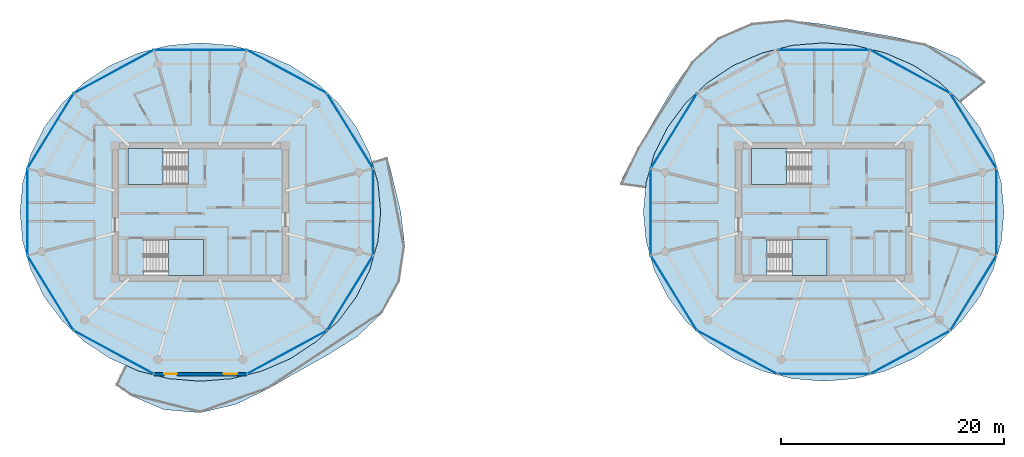
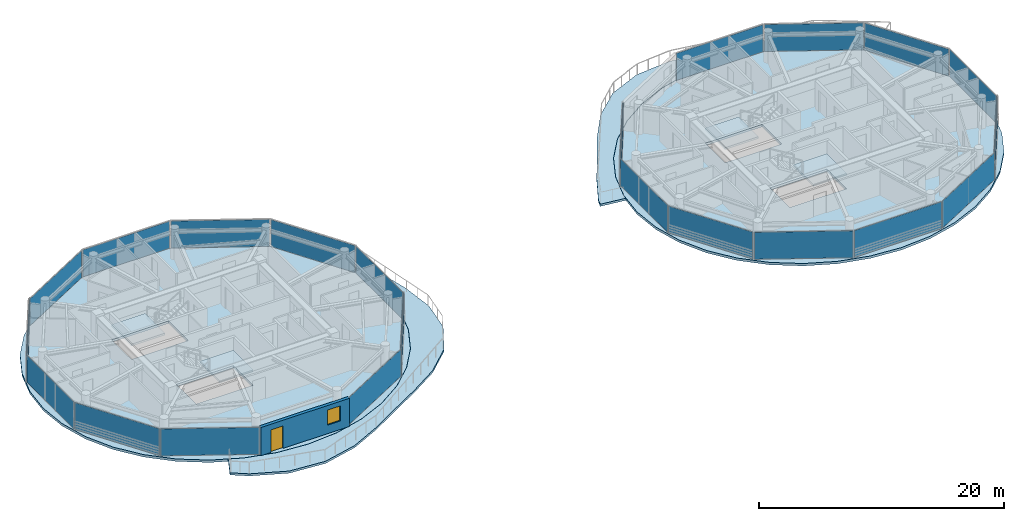
# One storey, part 8 of 19: 22 plates, 8 slabs, 1 door, 1 wall, 1 window, 2 openings, 26 elements without a shape of their own.
"""IFC4 building model written with IfcOpenShell, lengths in metres."""

from ifc_helpers import new_model, si_unit, direction, frame, frame_2d, origin, origin_2d, place, context, subcontext, project, spatial, polyline, rectangle, outline, extrude, source, transform, mapped, material, layer, layer_set, type_object, type_shapes, element, fill, aggregate, save


model = new_model("IFC4")

# Units and contexts
model_context = context("Model", 3, precision=1e-05, world=origin(), true_north=direction((0.0, 1.0)))
body_context = subcontext(model_context, "Body", "Model", "MODEL_VIEW")
ifc_project = project(units=[si_unit("LENGTHUNIT", "METRE"), si_unit("AREAUNIT", "SQUARE_METRE"), si_unit("VOLUMEUNIT", "CUBIC_METRE"), si_unit("PLANEANGLEUNIT", "RADIAN"), si_unit("MASSUNIT", "GRAM", prefix="KILO")], contexts=[model_context])

# Site, building, storey
site_placement = place(None, origin())
site = spatial("IfcSite", under=ifc_project, at=site_placement, CompositionType="ELEMENT")
building_placement = place(site_placement, origin())
building = spatial("IfcBuilding", under=site, at=building_placement, Name="Norrkilde Senior Care Towers", CompositionType="ELEMENT")
storey_placement = place(building_placement, frame((0.0, 0.0, 238.300048828125)))
storey = spatial("IfcBuildingStorey", under=building, at=storey_placement, Name="L74", CompositionType="ELEMENT", Elevation=238.300048828125)

# Slabs
ifc_material_1 = material(Name="Concrete C50/60", Category="concrete")
ifc_layer_1 = layer(ifc_material_1, 0.215087890625)
ifc_layer_set_1 = layer_set([ifc_layer_1], Name="Concrete C50/60")
slab_type_1 = type_object("IfcSlabType", Name="Sinusoidal Balcony Ribbon Slab 215", PredefinedType="FLOOR", material=ifc_layer_set_1)
slab_1_placement = place(storey_placement, frame((0.0, 0.0, -0.215087890625)))
element("IfcSlab", 1, at=slab_1_placement, inside=storey, type_object=slab_type_1, Name="L74 Drum W Swirling Senior Balcony 1", PredefinedType="FLOOR", context=body_context, shape_type="SweptSolid", body=[
    extrude(outline(polyline([(-11.62646484375, -9.042236328125), (-13.9658203125, -11.222900390625), (-16.6171875, -12.87548828125), (-19.2548828125, -14.354248046875), (-21.91259765625, -15.88427734375), (-24.80517578125, -17.2763671875), (-28.0, -18.032958984375), (-31.273681640625, -17.752685546875), (-34.2880859375, -16.4716796875), (-35.59326171875, -15.550537109375), (-34.724365234375, -13.77099609375), (-33.54248046875, -14.2880859375), (-30.81396484375, -14.97412109375), (-28.0, -15.205078125), (-25.18603515625, -14.97412109375), (-22.45751953125, -14.2880859375), (-19.8974609375, -13.16796875), (-17.583740234375, -11.647705078125), (-15.586181640625, -9.773681640625), (-13.966064453125, -7.6025390625), (-12.772216796875, -5.200439453125), (-12.041259765625, -2.640380859375), (-11.794921875, 0.0), (-12.041259765625, 2.640380859375), (-12.573486328125, 4.50390625), (-11.189697265625, 4.907958984375), (-10.68994140625, 2.894287109375), (-9.990234375, 0.0), (-9.623779296875, -3.0947265625), (-10.0947265625, -6.2392578125), (-11.62646484375, -9.042236328125)])), origin(), (0.0, 0.0, 1.0), 0.215087890625),
])
slab_2_placement = place(storey_placement, frame((0.0, 0.0, -0.215087890625)))
element("IfcSlab", 2, at=slab_2_placement, inside=storey, type_object=slab_type_1, Name="L74 Drum E Swirling Senior Balcony 1", PredefinedType="FLOOR", context=body_context, shape_type="SweptSolid", body=[
    extrude(outline(polyline([(11.315673828125, 5.765625), (12.81689453125, 8.309814453125), (14.3291015625, 10.89794921875), (16.14013671875, 13.4814453125), (18.550537109375, 15.654541015625), (21.54736328125, 16.953369140625), (24.809326171875, 17.25048828125), (28.0, 16.869384765625), (31.03369140625, 16.302734375), (34.053466796875, 15.784912109375), (37.150634765625, 15.103271484375), (40.125, 13.818359375), (42.54931640625, 11.68359375), (42.558837890625, 11.666015625), (40.31396484375, 9.8671875), (38.416259765625, 11.647705078125), (36.1025390625, 13.16796875), (33.54248046875, 14.2880859375), (30.81396484375, 14.97412109375), (28.0, 15.205078125), (25.18603515625, 14.97412109375), (22.45751953125, 14.2880859375), (19.8974609375, 13.16796875), (17.583740234375, 11.647705078125), (15.586181640625, 9.773681640625), (13.966064453125, 7.6025390625), (12.772216796875, 5.200439453125), (12.041259765625, 2.640380859375), (11.995361328125, 2.14794921875), (9.738037109375, 2.450927734375), (9.904541015625, 3.0419921875), (11.315673828125, 5.765625)])), origin(), (0.0, 0.0, 1.0), 0.215087890625),
])

# Stair, slab
ifc_material_2 = material(Name="Concrete C45/55", Category="concrete")
stair_type = type_object("IfcStairType", Name="Core Protected Dogleg Stair Typical 3050", PredefinedType="HALF_TURN_STAIR", material=ifc_material_2)
stair_1_placement = place(storey_placement, origin())
stair_1 = element("IfcStair", 3, at=stair_1_placement, inside=storey, type_object=stair_type, Name="L74 Protected Core Stair W1", PredefinedType="HALF_TURN_STAIR")
ifc_layer_2 = layer(ifc_material_2, 0.199951171875)
ifc_layer_set_2 = layer_set([ifc_layer_2], Name="Concrete C45/55")
slab_type_2 = type_object("IfcSlabType", Name="Stair Landing Slab 200", PredefinedType="LANDING", material=ifc_layer_set_2)
slab_3_placement = place(storey_placement, frame((0.0, 0.0, 1.324951171875)))
slab_3 = element("IfcSlab", 4, at=slab_3_placement, type_object=slab_type_2, Name="ST-W1 landing 1", PredefinedType="LANDING", context=body_context, shape_type="SweptSolid", body=[
    extrude(outline(polyline([(-31.340087890625, 5.68994140625), (-34.5, 5.68994140625), (-34.5, 2.449951171875), (-31.340087890625, 2.449951171875), (-31.340087890625, 5.68994140625)])), origin(), (0.0, 0.0, 1.0), 0.199951171875),
])
aggregate(stair_1, [slab_3])

stair_2_placement = place(storey_placement, origin())
stair_2 = element("IfcStair", 5, at=stair_2_placement, inside=storey, type_object=stair_type, Name="L74 Protected Core Stair W2", PredefinedType="HALF_TURN_STAIR")
slab_4_placement = place(storey_placement, frame((0.0, 0.0, 1.324951171875)))
slab_4 = element("IfcSlab", 6, at=slab_4_placement, type_object=slab_type_2, Name="ST-W2 landing 1", PredefinedType="LANDING", context=body_context, shape_type="SweptSolid", body=[
    extrude(outline(polyline([(-30.860107421875, -5.68994140625), (-27.699951171875, -5.68994140625), (-27.699951171875, -2.449951171875), (-30.860107421875, -2.449951171875), (-30.860107421875, -5.68994140625)])), origin(), (0.0, 0.0, 1.0), 0.199951171875),
])
aggregate(stair_2, [slab_4])

stair_3_placement = place(storey_placement, origin())
stair_3 = element("IfcStair", 7, at=stair_3_placement, inside=storey, type_object=stair_type, Name="L74 Protected Core Stair E1", PredefinedType="HALF_TURN_STAIR")
slab_5_placement = place(storey_placement, frame((0.0, 0.0, 1.324951171875)))
slab_5 = element("IfcSlab", 8, at=slab_5_placement, type_object=slab_type_2, Name="ST-E1 landing 1", PredefinedType="LANDING", context=body_context, shape_type="SweptSolid", body=[
    extrude(outline(polyline([(24.659912109375, 5.68994140625), (21.5, 5.68994140625), (21.5, 2.449951171875), (24.659912109375, 2.449951171875), (24.659912109375, 5.68994140625)])), origin(), (0.0, 0.0, 1.0), 0.199951171875),
])
aggregate(stair_3, [slab_5])

stair_4_placement = place(storey_placement, origin())
stair_4 = element("IfcStair", 9, at=stair_4_placement, inside=storey, type_object=stair_type, Name="L74 Protected Core Stair E2", PredefinedType="HALF_TURN_STAIR")
slab_6_placement = place(storey_placement, frame((0.0, 0.0, 1.324951171875)))
slab_6 = element("IfcSlab", 10, at=slab_6_placement, type_object=slab_type_2, Name="ST-E2 landing 1", PredefinedType="LANDING", context=body_context, shape_type="SweptSolid", body=[
    extrude(outline(polyline([(25.139892578125, -5.68994140625), (28.300048828125, -5.68994140625), (28.300048828125, -2.449951171875), (25.139892578125, -2.449951171875), (25.139892578125, -5.68994140625)])), origin(), (0.0, 0.0, 1.0), 0.199951171875),
])
aggregate(stair_4, [slab_6])

# Slabs
ifc_layer_3 = layer(ifc_material_1, 0.239990234375)
ifc_layer_set_3 = layer_set([ifc_layer_3], Name="Concrete C50/60")
slab_type_3 = type_object("IfcSlabType", Name="Tower Residence Floor Slab 240", PredefinedType="FLOOR", material=ifc_layer_set_3)
slab_7_placement = place(storey_placement, frame((0.0, 0.0, -0.239990234375)))
element("IfcSlab", 11, at=slab_7_placement, inside=storey, type_object=slab_type_3, Name="L74 Drum W Structural Floor Slab", PredefinedType="FLOOR", context=body_context, shape_type="SweptSolid", body=[
    extrude(outline(polyline([(-12.777099609375, -5.19873046875), (-13.970458984375, -7.60009765625), (-15.590087890625, -9.770263671875), (-17.5869140625, -11.643798828125), (-19.89990234375, -13.16357421875), (-22.459228515625, -14.283447265625), (-25.18701171875, -14.968994140625), (-28.0, -15.199951171875), (-30.81298828125, -14.968994140625), (-33.540771484375, -14.283447265625), (-36.10009765625, -13.16357421875), (-38.4130859375, -11.643798828125), (-40.409912109375, -9.770263671875), (-42.029541015625, -7.60009765625), (-43.222900390625, -5.19873046875), (-43.953857421875, -2.639404296875), (-44.199951171875, 0.0), (-43.953857421875, 2.639404296875), (-43.222900390625, 5.19873046875), (-42.029541015625, 7.60009765625), (-40.409912109375, 9.770263671875), (-38.4130859375, 11.643798828125), (-36.10009765625, 13.16357421875), (-33.540771484375, 14.283447265625), (-30.81298828125, 14.968994140625), (-28.0, 15.199951171875), (-25.18701171875, 14.968994140625), (-22.459228515625, 14.283447265625), (-19.89990234375, 13.16357421875), (-17.5869140625, 11.643798828125), (-15.590087890625, 9.770263671875), (-13.970458984375, 7.60009765625), (-12.777099609375, 5.19873046875), (-12.046142578125, 2.639404296875), (-11.800048828125, 0.0), (-12.046142578125, -2.639404296875), (-12.777099609375, -5.19873046875)]), holes=[polyline([(-34.48193359375, 2.468017578125), (-29.117919921875, 2.468017578125), (-29.117919921875, 5.68994140625), (-34.48193359375, 5.68994140625), (-34.48193359375, 2.468017578125)]), polyline([(-27.718017578125, -5.68994140625), (-27.718017578125, -2.468017578125), (-33.08203125, -2.468017578125), (-33.08203125, -5.68994140625), (-27.718017578125, -5.68994140625)])]), origin(), (0.0, 0.0, 1.0), 0.239990234375),
])
slab_8_placement = place(storey_placement, frame((0.0, 0.0, -0.239990234375)))
element("IfcSlab", 12, at=slab_8_placement, inside=storey, type_object=slab_type_3, Name="L74 Drum E Structural Floor Slab", PredefinedType="FLOOR", context=body_context, shape_type="SweptSolid", body=[
    extrude(outline(polyline([(43.222900390625, -5.19873046875), (42.029541015625, -7.60009765625), (40.409912109375, -9.770263671875), (38.4130859375, -11.643798828125), (36.10009765625, -13.16357421875), (33.540771484375, -14.283447265625), (30.81298828125, -14.968994140625), (28.0, -15.199951171875), (25.18701171875, -14.968994140625), (22.459228515625, -14.283447265625), (19.89990234375, -13.16357421875), (17.5869140625, -11.643798828125), (15.590087890625, -9.770263671875), (13.970458984375, -7.60009765625), (12.777099609375, -5.19873046875), (12.046142578125, -2.639404296875), (11.800048828125, 0.0), (12.046142578125, 2.639404296875), (12.777099609375, 5.19873046875), (13.970458984375, 7.60009765625), (15.590087890625, 9.770263671875), (17.5869140625, 11.643798828125), (19.89990234375, 13.16357421875), (22.459228515625, 14.283447265625), (25.18701171875, 14.968994140625), (28.0, 15.199951171875), (30.81298828125, 14.968994140625), (33.540771484375, 14.283447265625), (36.10009765625, 13.16357421875), (38.4130859375, 11.643798828125), (40.409912109375, 9.770263671875), (42.029541015625, 7.60009765625), (43.222900390625, 5.19873046875), (43.953857421875, 2.639404296875), (44.199951171875, 0.0), (43.953857421875, -2.639404296875), (43.222900390625, -5.19873046875)]), holes=[polyline([(21.51806640625, 2.468017578125), (26.882080078125, 2.468017578125), (26.882080078125, 5.68994140625), (21.51806640625, 5.68994140625), (21.51806640625, 2.468017578125)]), polyline([(28.281982421875, -5.68994140625), (28.281982421875, -2.468017578125), (22.91796875, -2.468017578125), (22.91796875, -5.68994140625), (28.281982421875, -5.68994140625)])]), origin(), (0.0, 0.0, 1.0), 0.239990234375),
])

# Curtain wall, plate
ifc_material_3 = material(Name="Triple Low-E Insulated Glazing", Category="glass")
ifc_layer_4 = layer(ifc_material_3, 0.18505859375)
ifc_layer_set_4 = layer_set([ifc_layer_4], Name="Triple Low-E Insulated Glazing")
curtain_wall_type = type_object("IfcCurtainWallType", Name="CW6 Zone 4 Crown Pavilion Curtain Wall", PredefinedType="NOTDEFINED", material=ifc_layer_set_4)
curtain_wall_1_placement = place(storey_placement, origin())
curtain_wall_1 = element("IfcCurtainWall", 13, at=curtain_wall_1_placement, inside=storey, type_object=curtain_wall_type, Name="L74 Drum W Curtain Wall 00", PredefinedType="NOTDEFINED")
ifc_layer_5 = layer(ifc_material_3, 0.035888671875)
ifc_layer_set_5 = layer_set([ifc_layer_5], Name="Triple Low-E Insulated Glazing")
plate_type = type_object("IfcPlateType", Name="Triple Low-E Vision Curtain Panel 36", PredefinedType="CURTAIN_PANEL", material=ifc_layer_set_5)
shared_shape_1 = source(origin(), body_context, "Body", "SweptSolid", [
    extrude(rectangle(XDim=7.80859375, YDim=0.035888671875, at=origin_2d()), origin(), (0.0, 0.0, 1.0), 2.68994140625),
])
plate_1_placement = place(storey_placement, frame((-14.548828125, 7.282958984375, 0.06005859375), z_axis=(0.0, 0.0, 1.0), x_axis=(0.524252726748, -0.851562727283, 0.0)))
plate_1 = element("IfcPlate", 14, at=plate_1_placement, type_object=plate_type, Name="CW-6 panel 1.1", PredefinedType="CURTAIN_PANEL", context=body_context, shape_type="MappedRepresentation", body=[
    mapped(shared_shape_1, transform((0.0, 0.0, 0.0), x_axis=(1.0, 0.0, 0.0), y_axis=(0.0, 1.0, 0.0), z_axis=(0.0, 0.0, 1.0), scale=1.0)),
])
aggregate(curtain_wall_1, [plate_1])

curtain_wall_2_placement = place(storey_placement, origin())
curtain_wall_2 = element("IfcCurtainWall", 15, at=curtain_wall_2_placement, inside=storey, type_object=curtain_wall_type, Name="L74 Drum W Curtain Wall 04", PredefinedType="NOTDEFINED")
plate_2_placement = place(storey_placement, frame((-41.451171875, 7.282958984375, 0.06005859375), z_axis=(0.0, 0.0, 1.0), x_axis=(0.524252726748, 0.851562727283, 0.0)))
plate_2 = element("IfcPlate", 16, at=plate_2_placement, type_object=plate_type, Name="CW-6 panel 1.1", PredefinedType="CURTAIN_PANEL", context=body_context, shape_type="MappedRepresentation", body=[
    mapped(shared_shape_1, transform((0.0, 0.0, 0.0), x_axis=(1.0, 0.0, 0.0), y_axis=(0.0, 1.0, 0.0), z_axis=(0.0, 0.0, 1.0), scale=1.0)),
])
aggregate(curtain_wall_2, [plate_2])

curtain_wall_3_placement = place(storey_placement, origin())
curtain_wall_3 = element("IfcCurtainWall", 17, at=curtain_wall_3_placement, inside=storey, type_object=curtain_wall_type, Name="L74 Drum W Curtain Wall 06", PredefinedType="NOTDEFINED")
plate_3_placement = place(storey_placement, frame((-41.451171875, -7.282958984375, 0.06005859375), z_axis=(0.0, 0.0, 1.0), x_axis=(-0.524252726748, 0.851562727283, 0.0)))
plate_3 = element("IfcPlate", 18, at=plate_3_placement, type_object=plate_type, Name="CW-6 panel 1.1", PredefinedType="CURTAIN_PANEL", context=body_context, shape_type="MappedRepresentation", body=[
    mapped(shared_shape_1, transform((0.0, 0.0, 0.0), x_axis=(1.0, 0.0, 0.0), y_axis=(0.0, 1.0, 0.0), z_axis=(0.0, 0.0, 1.0), scale=1.0)),
])
aggregate(curtain_wall_3, [plate_3])

curtain_wall_4_placement = place(storey_placement, origin())
curtain_wall_4 = element("IfcCurtainWall", 19, at=curtain_wall_4_placement, inside=storey, type_object=curtain_wall_type, Name="L74 Drum W Curtain Wall 10", PredefinedType="NOTDEFINED")
plate_4_placement = place(storey_placement, frame((-14.548828125, -7.282958984375, 0.06005859375), z_axis=(0.0, 0.0, 1.0), x_axis=(-0.524252726748, -0.851562727283, 0.0)))
plate_4 = element("IfcPlate", 20, at=plate_4_placement, type_object=plate_type, Name="CW-6 panel 1.1", PredefinedType="CURTAIN_PANEL", context=body_context, shape_type="MappedRepresentation", body=[
    mapped(shared_shape_1, transform((0.0, 0.0, 0.0), x_axis=(1.0, 0.0, 0.0), y_axis=(0.0, 1.0, 0.0), z_axis=(0.0, 0.0, 1.0), scale=1.0)),
])
aggregate(curtain_wall_4, [plate_4])

curtain_wall_5_placement = place(storey_placement, origin())
curtain_wall_5 = element("IfcCurtainWall", 21, at=curtain_wall_5_placement, inside=storey, type_object=curtain_wall_type, Name="L74 Drum E Curtain Wall 00", PredefinedType="NOTDEFINED")
plate_5_placement = place(storey_placement, frame((41.451171875, 7.282958984375, 0.06005859375), z_axis=(0.0, 0.0, 1.0), x_axis=(0.524252726748, -0.851562727283, 0.0)))
plate_5 = element("IfcPlate", 22, at=plate_5_placement, type_object=plate_type, Name="CW-6 panel 1.1", PredefinedType="CURTAIN_PANEL", context=body_context, shape_type="MappedRepresentation", body=[
    mapped(shared_shape_1, transform((0.0, 0.0, 0.0), x_axis=(1.0, 0.0, 0.0), y_axis=(0.0, 1.0, 0.0), z_axis=(0.0, 0.0, 1.0), scale=1.0)),
])
aggregate(curtain_wall_5, [plate_5])

curtain_wall_6_placement = place(storey_placement, origin())
curtain_wall_6 = element("IfcCurtainWall", 23, at=curtain_wall_6_placement, inside=storey, type_object=curtain_wall_type, Name="L74 Drum E Curtain Wall 04", PredefinedType="NOTDEFINED")
plate_6_placement = place(storey_placement, frame((14.548828125, 7.282958984375, 0.06005859375), z_axis=(0.0, 0.0, 1.0), x_axis=(0.524252726748, 0.851562727283, 0.0)))
plate_6 = element("IfcPlate", 24, at=plate_6_placement, type_object=plate_type, Name="CW-6 panel 1.1", PredefinedType="CURTAIN_PANEL", context=body_context, shape_type="MappedRepresentation", body=[
    mapped(shared_shape_1, transform((0.0, 0.0, 0.0), x_axis=(1.0, 0.0, 0.0), y_axis=(0.0, 1.0, 0.0), z_axis=(0.0, 0.0, 1.0), scale=1.0)),
])
aggregate(curtain_wall_6, [plate_6])

curtain_wall_7_placement = place(storey_placement, origin())
curtain_wall_7 = element("IfcCurtainWall", 25, at=curtain_wall_7_placement, inside=storey, type_object=curtain_wall_type, Name="L74 Drum E Curtain Wall 06", PredefinedType="NOTDEFINED")
plate_7_placement = place(storey_placement, frame((14.548828125, -7.282958984375, 0.06005859375), z_axis=(0.0, 0.0, 1.0), x_axis=(-0.524252726748, 0.851562727283, 0.0)))
plate_7 = element("IfcPlate", 26, at=plate_7_placement, type_object=plate_type, Name="CW-6 panel 1.1", PredefinedType="CURTAIN_PANEL", context=body_context, shape_type="MappedRepresentation", body=[
    mapped(shared_shape_1, transform((0.0, 0.0, 0.0), x_axis=(1.0, 0.0, 0.0), y_axis=(0.0, 1.0, 0.0), z_axis=(0.0, 0.0, 1.0), scale=1.0)),
])
aggregate(curtain_wall_7, [plate_7])

curtain_wall_8_placement = place(storey_placement, origin())
curtain_wall_8 = element("IfcCurtainWall", 27, at=curtain_wall_8_placement, inside=storey, type_object=curtain_wall_type, Name="L74 Drum E Curtain Wall 10", PredefinedType="NOTDEFINED")
plate_8_placement = place(storey_placement, frame((41.451171875, -7.282958984375, 0.06005859375), z_axis=(0.0, 0.0, 1.0), x_axis=(-0.524252726748, -0.851562727283, 0.0)))
plate_8 = element("IfcPlate", 28, at=plate_8_placement, type_object=plate_type, Name="CW-6 panel 1.1", PredefinedType="CURTAIN_PANEL", context=body_context, shape_type="MappedRepresentation", body=[
    mapped(shared_shape_1, transform((0.0, 0.0, 0.0), x_axis=(1.0, 0.0, 0.0), y_axis=(0.0, 1.0, 0.0), z_axis=(0.0, 0.0, 1.0), scale=1.0)),
])
aggregate(curtain_wall_8, [plate_8])

curtain_wall_9_placement = place(storey_placement, origin())
curtain_wall_9 = element("IfcCurtainWall", 29, at=curtain_wall_9_placement, inside=storey, type_object=curtain_wall_type, Name="L74 Drum W Curtain Wall 02", PredefinedType="NOTDEFINED")
shared_shape_2 = source(origin(), body_context, "Body", "SweptSolid", [
    extrude(rectangle(XDim=8.193603515625, YDim=0.035888671875, at=origin_2d()), origin(), (0.0, 0.0, 1.0), 2.68994140625),
])
plate_9_placement = place(storey_placement, frame((-28.0, 14.566162109375, 0.06005859375), z_axis=(0.0, 0.0, 1.0), x_axis=(1.0, 0.0, 0.0)))
plate_9 = element("IfcPlate", 30, at=plate_9_placement, type_object=plate_type, Name="CW-6 panel 1.1", PredefinedType="CURTAIN_PANEL", context=body_context, shape_type="MappedRepresentation", body=[
    mapped(shared_shape_2, transform((0.0, 0.0, 0.0), x_axis=(1.0, 0.0, 0.0), y_axis=(0.0, 1.0, 0.0), z_axis=(0.0, 0.0, 1.0), scale=1.0)),
])
aggregate(curtain_wall_9, [plate_9])

curtain_wall_10_placement = place(storey_placement, origin())
curtain_wall_10 = element("IfcCurtainWall", 31, at=curtain_wall_10_placement, inside=storey, type_object=curtain_wall_type, Name="L74 Drum E Curtain Wall 02", PredefinedType="NOTDEFINED")
plate_10_placement = place(storey_placement, frame((28.0, 14.566162109375, 0.06005859375), z_axis=(0.0, 0.0, 1.0), x_axis=(1.0, 0.0, 0.0)))
plate_10 = element("IfcPlate", 32, at=plate_10_placement, type_object=plate_type, Name="CW-6 panel 1.1", PredefinedType="CURTAIN_PANEL", context=body_context, shape_type="MappedRepresentation", body=[
    mapped(shared_shape_2, transform((0.0, 0.0, 0.0), x_axis=(1.0, 0.0, 0.0), y_axis=(0.0, 1.0, 0.0), z_axis=(0.0, 0.0, 1.0), scale=1.0)),
])
aggregate(curtain_wall_10, [plate_10])

curtain_wall_11_placement = place(storey_placement, origin())
curtain_wall_11 = element("IfcCurtainWall", 33, at=curtain_wall_11_placement, inside=storey, type_object=curtain_wall_type, Name="L74 Drum E Curtain Wall 08", PredefinedType="NOTDEFINED")
plate_11_placement = place(storey_placement, frame((28.0, -14.566162109375, 0.06005859375), z_axis=(0.0, 0.0, 1.0), x_axis=(-1.0, 0.0, 0.0)))
plate_11 = element("IfcPlate", 34, at=plate_11_placement, type_object=plate_type, Name="CW-6 panel 1.1", PredefinedType="CURTAIN_PANEL", context=body_context, shape_type="MappedRepresentation", body=[
    mapped(shared_shape_2, transform((0.0, 0.0, 0.0), x_axis=(1.0, 0.0, 0.0), y_axis=(0.0, 1.0, 0.0), z_axis=(0.0, 0.0, 1.0), scale=1.0)),
])
aggregate(curtain_wall_11, [plate_11])

curtain_wall_12_placement = place(storey_placement, origin())
curtain_wall_12 = element("IfcCurtainWall", 35, at=curtain_wall_12_placement, inside=storey, type_object=curtain_wall_type, Name="L74 Drum W Curtain Wall 01", PredefinedType="NOTDEFINED")
shared_shape_3 = source(origin(), body_context, "Body", "SweptSolid", [
    extrude(rectangle(XDim=8.0673828125, YDim=0.035888671875, at=origin_2d()), origin(), (0.0, 0.0, 1.0), 2.68994140625),
])
plate_12_placement = place(storey_placement, frame((-20.23388671875, 12.61474609375, 0.06005859375), z_axis=(0.0, 0.0, 1.0), x_axis=(0.879373455772, -0.476132676136, 0.0)))
plate_12 = element("IfcPlate", 36, at=plate_12_placement, type_object=plate_type, Name="CW-6 panel 1.1", PredefinedType="CURTAIN_PANEL", context=body_context, shape_type="MappedRepresentation", body=[
    mapped(shared_shape_3, transform((0.0, 0.0, 0.0), x_axis=(1.0, 0.0, 0.0), y_axis=(0.0, 1.0, 0.0), z_axis=(0.0, 0.0, 1.0), scale=1.0)),
])
aggregate(curtain_wall_12, [plate_12])

curtain_wall_13_placement = place(storey_placement, origin())
curtain_wall_13 = element("IfcCurtainWall", 37, at=curtain_wall_13_placement, inside=storey, type_object=curtain_wall_type, Name="L74 Drum W Curtain Wall 03", PredefinedType="NOTDEFINED")
plate_13_placement = place(storey_placement, frame((-35.76611328125, 12.61474609375, 0.06005859375), z_axis=(0.0, 0.0, 1.0), x_axis=(0.879373455772, 0.476132676136, 0.0)))
plate_13 = element("IfcPlate", 38, at=plate_13_placement, type_object=plate_type, Name="CW-6 panel 1.1", PredefinedType="CURTAIN_PANEL", context=body_context, shape_type="MappedRepresentation", body=[
    mapped(shared_shape_3, transform((0.0, 0.0, 0.0), x_axis=(1.0, 0.0, 0.0), y_axis=(0.0, 1.0, 0.0), z_axis=(0.0, 0.0, 1.0), scale=1.0)),
])
aggregate(curtain_wall_13, [plate_13])

curtain_wall_14_placement = place(storey_placement, origin())
curtain_wall_14 = element("IfcCurtainWall", 39, at=curtain_wall_14_placement, inside=storey, type_object=curtain_wall_type, Name="L74 Drum W Curtain Wall 07", PredefinedType="NOTDEFINED")
plate_14_placement = place(storey_placement, frame((-35.76611328125, -12.61474609375, 0.06005859375), z_axis=(0.0, 0.0, 1.0), x_axis=(-0.879373455772, 0.476132676136, 0.0)))
plate_14 = element("IfcPlate", 40, at=plate_14_placement, type_object=plate_type, Name="CW-6 panel 1.1", PredefinedType="CURTAIN_PANEL", context=body_context, shape_type="MappedRepresentation", body=[
    mapped(shared_shape_3, transform((0.0, 0.0, 0.0), x_axis=(1.0, 0.0, 0.0), y_axis=(0.0, 1.0, 0.0), z_axis=(0.0, 0.0, 1.0), scale=1.0)),
])
aggregate(curtain_wall_14, [plate_14])

curtain_wall_15_placement = place(storey_placement, origin())
curtain_wall_15 = element("IfcCurtainWall", 41, at=curtain_wall_15_placement, inside=storey, type_object=curtain_wall_type, Name="L74 Drum W Curtain Wall 09", PredefinedType="NOTDEFINED")
plate_15_placement = place(storey_placement, frame((-20.23388671875, -12.61474609375, 0.06005859375), z_axis=(0.0, 0.0, 1.0), x_axis=(-0.879373455772, -0.476132676136, 0.0)))
plate_15 = element("IfcPlate", 42, at=plate_15_placement, type_object=plate_type, Name="CW-6 panel 1.1", PredefinedType="CURTAIN_PANEL", context=body_context, shape_type="MappedRepresentation", body=[
    mapped(shared_shape_3, transform((0.0, 0.0, 0.0), x_axis=(1.0, 0.0, 0.0), y_axis=(0.0, 1.0, 0.0), z_axis=(0.0, 0.0, 1.0), scale=1.0)),
])
aggregate(curtain_wall_15, [plate_15])

curtain_wall_16_placement = place(storey_placement, origin())
curtain_wall_16 = element("IfcCurtainWall", 43, at=curtain_wall_16_placement, inside=storey, type_object=curtain_wall_type, Name="L74 Drum E Curtain Wall 01", PredefinedType="NOTDEFINED")
plate_16_placement = place(storey_placement, frame((35.76611328125, 12.61474609375, 0.06005859375), z_axis=(0.0, 0.0, 1.0), x_axis=(0.879373455772, -0.476132676136, 0.0)))
plate_16 = element("IfcPlate", 44, at=plate_16_placement, type_object=plate_type, Name="CW-6 panel 1.1", PredefinedType="CURTAIN_PANEL", context=body_context, shape_type="MappedRepresentation", body=[
    mapped(shared_shape_3, transform((0.0, 0.0, 0.0), x_axis=(1.0, 0.0, 0.0), y_axis=(0.0, 1.0, 0.0), z_axis=(0.0, 0.0, 1.0), scale=1.0)),
])
aggregate(curtain_wall_16, [plate_16])

curtain_wall_17_placement = place(storey_placement, origin())
curtain_wall_17 = element("IfcCurtainWall", 45, at=curtain_wall_17_placement, inside=storey, type_object=curtain_wall_type, Name="L74 Drum E Curtain Wall 07", PredefinedType="NOTDEFINED")
plate_17_placement = place(storey_placement, frame((20.23388671875, -12.61474609375, 0.06005859375), z_axis=(0.0, 0.0, 1.0), x_axis=(-0.879373455772, 0.476132676136, 0.0)))
plate_17 = element("IfcPlate", 46, at=plate_17_placement, type_object=plate_type, Name="CW-6 panel 1.1", PredefinedType="CURTAIN_PANEL", context=body_context, shape_type="MappedRepresentation", body=[
    mapped(shared_shape_3, transform((0.0, 0.0, 0.0), x_axis=(1.0, 0.0, 0.0), y_axis=(0.0, 1.0, 0.0), z_axis=(0.0, 0.0, 1.0), scale=1.0)),
])
aggregate(curtain_wall_17, [plate_17])

curtain_wall_18_placement = place(storey_placement, origin())
curtain_wall_18 = element("IfcCurtainWall", 47, at=curtain_wall_18_placement, inside=storey, type_object=curtain_wall_type, Name="L74 Drum E Curtain Wall 09", PredefinedType="NOTDEFINED")
plate_18_placement = place(storey_placement, frame((35.76611328125, -12.61474609375, 0.06005859375), z_axis=(0.0, 0.0, 1.0), x_axis=(-0.879373455772, -0.476132676136, 0.0)))
plate_18 = element("IfcPlate", 48, at=plate_18_placement, type_object=plate_type, Name="CW-6 panel 1.1", PredefinedType="CURTAIN_PANEL", context=body_context, shape_type="MappedRepresentation", body=[
    mapped(shared_shape_3, transform((0.0, 0.0, 0.0), x_axis=(1.0, 0.0, 0.0), y_axis=(0.0, 1.0, 0.0), z_axis=(0.0, 0.0, 1.0), scale=1.0)),
])
aggregate(curtain_wall_18, [plate_18])

curtain_wall_19_placement = place(storey_placement, origin())
curtain_wall_19 = element("IfcCurtainWall", 49, at=curtain_wall_19_placement, inside=storey, type_object=curtain_wall_type, Name="L74 Drum W Curtain Wall 05", PredefinedType="NOTDEFINED")
shared_shape_4 = source(origin(), body_context, "Body", "SweptSolid", [
    extrude(rectangle(XDim=7.676025390625, YDim=0.035888671875, at=origin_2d()), origin(), (0.0, 0.0, 1.0), 2.68994140625),
])
type_shapes(plate_type, [shared_shape_1, shared_shape_2, shared_shape_3, shared_shape_4])
plate_19_placement = place(storey_placement, frame((-43.531982421875, 0.0, 0.06005859375), z_axis=(0.0, 0.0, 1.0), x_axis=(0.0, 1.0, 0.0)))
plate_19 = element("IfcPlate", 50, at=plate_19_placement, type_object=plate_type, Name="CW-6 panel 1.1", PredefinedType="CURTAIN_PANEL", context=body_context, shape_type="MappedRepresentation", body=[
    mapped(shared_shape_4, transform((0.0, 0.0, 0.0), x_axis=(1.0, 0.0, 0.0), y_axis=(0.0, 1.0, 0.0), z_axis=(0.0, 0.0, 1.0), scale=1.0)),
])
aggregate(curtain_wall_19, [plate_19])

curtain_wall_20_placement = place(storey_placement, origin())
curtain_wall_20 = element("IfcCurtainWall", 51, at=curtain_wall_20_placement, inside=storey, type_object=curtain_wall_type, Name="L74 Drum W Curtain Wall 11", PredefinedType="NOTDEFINED")
plate_20_placement = place(storey_placement, frame((-12.468017578125, 0.0, 0.06005859375), z_axis=(0.0, 0.0, 1.0), x_axis=(0.0, -1.0, 0.0)))
plate_20 = element("IfcPlate", 52, at=plate_20_placement, type_object=plate_type, Name="CW-6 panel 1.1", PredefinedType="CURTAIN_PANEL", context=body_context, shape_type="MappedRepresentation", body=[
    mapped(shared_shape_4, transform((0.0, 0.0, 0.0), x_axis=(1.0, 0.0, 0.0), y_axis=(0.0, 1.0, 0.0), z_axis=(0.0, 0.0, 1.0), scale=1.0)),
])
aggregate(curtain_wall_20, [plate_20])

curtain_wall_21_placement = place(storey_placement, origin())
curtain_wall_21 = element("IfcCurtainWall", 53, at=curtain_wall_21_placement, inside=storey, type_object=curtain_wall_type, Name="L74 Drum E Curtain Wall 05", PredefinedType="NOTDEFINED")
plate_21_placement = place(storey_placement, frame((12.468017578125, 0.0, 0.06005859375), z_axis=(0.0, 0.0, 1.0), x_axis=(0.0, 1.0, 0.0)))
plate_21 = element("IfcPlate", 54, at=plate_21_placement, type_object=plate_type, Name="CW-6 panel 1.1", PredefinedType="CURTAIN_PANEL", context=body_context, shape_type="MappedRepresentation", body=[
    mapped(shared_shape_4, transform((0.0, 0.0, 0.0), x_axis=(1.0, 0.0, 0.0), y_axis=(0.0, 1.0, 0.0), z_axis=(0.0, 0.0, 1.0), scale=1.0)),
])
aggregate(curtain_wall_21, [plate_21])

curtain_wall_22_placement = place(storey_placement, origin())
curtain_wall_22 = element("IfcCurtainWall", 55, at=curtain_wall_22_placement, inside=storey, type_object=curtain_wall_type, Name="L74 Drum E Curtain Wall 11", PredefinedType="NOTDEFINED")
plate_22_placement = place(storey_placement, frame((43.531982421875, 0.0, 0.06005859375), z_axis=(0.0, 0.0, 1.0), x_axis=(0.0, -1.0, 0.0)))
plate_22 = element("IfcPlate", 56, at=plate_22_placement, type_object=plate_type, Name="CW-6 panel 1.1", PredefinedType="CURTAIN_PANEL", context=body_context, shape_type="MappedRepresentation", body=[
    mapped(shared_shape_4, transform((0.0, 0.0, 0.0), x_axis=(1.0, 0.0, 0.0), y_axis=(0.0, 1.0, 0.0), z_axis=(0.0, 0.0, 1.0), scale=1.0)),
])
aggregate(curtain_wall_22, [plate_22])

# Wall, openings, door, window
ifc_material_4 = material(Name="Precast concrete C45/55", Category="concrete")
ifc_layer_6 = layer(ifc_material_4, 0.2900390625)
ifc_layer_set_6 = layer_set([ifc_layer_6], Name="Precast concrete C45/55")
wall_type = type_object("IfcWallType", Name="Winter Garden Facade Wall 290", PredefinedType="SOLIDWALL", material=ifc_layer_set_6)
shared_shape_5 = source(origin(), body_context, "Body", "SweptSolid", [
    extrude(rectangle(XDim=8.32373046875, YDim=0.2900390625, at=frame_2d((4.161865234375, 0.0))), origin(), (0.0, 0.0, 1.0), 2.81005859375),
])
type_shapes(wall_type, [shared_shape_5])
wall_placement = place(storey_placement, frame((-23.838134765625, -14.566162109375, 0.0), z_axis=(0.0, 0.0, 1.0), x_axis=(-1.0, 0.0, 0.0)))
wall = element("IfcWall", 57, at=wall_placement, inside=storey, type_object=wall_type, Name="L74 Drum W Balcony Access Wall 08", PredefinedType="SOLIDWALL", context=body_context, shape_type="MappedRepresentation", body=[
    mapped(shared_shape_5, transform((0.0, 0.0, 0.0), x_axis=(1.0, 0.0, 0.0), y_axis=(0.0, 1.0, 0.0), z_axis=(0.0, 0.0, 1.0), scale=1.0)),
])
opening_1_placement = place(wall_placement, frame((6.260009765625, 0.0, 0.0)))
opening_1 = element("IfcOpeningElement", 58, at=opening_1_placement, cuts=wall, Name="Opening D-09", PredefinedType="OPENING", context=body_context, shape_type="SweptSolid", body=[
    extrude(rectangle(XDim=1.14990234375, YDim=2.25, at=frame_2d((0.574951171875, 1.125))), frame((0.0, 0.155029296875, 0.0), z_axis=(0.0, -1.0, 0.0), x_axis=(1.0, 0.0, 0.0)), (0.0, 0.0, 1.0), 0.31005859375),
])
opening_2_placement = place(wall_placement, frame((0.85009765625, 0.0, 0.85009765625)))
opening_2 = element("IfcOpeningElement", 59, at=opening_2_placement, cuts=wall, Name="Opening WN-07", PredefinedType="OPENING", context=body_context, shape_type="SweptSolid", body=[
    extrude(rectangle(XDim=1.199951171875, YDim=1.5, at=frame_2d((0.60009765625, 0.75))), frame((0.0, 0.155029296875, 0.0), z_axis=(0.0, -1.0, 0.0), x_axis=(1.0, 0.0, 0.0)), (0.0, 0.0, 1.0), 0.31005859375),
])
ifc_material_5 = material(Name="Anodised Aluminium", Category="aluminium")
door_type = type_object("IfcDoorType", Name="Terrace and Balcony Glazed Door 1150x2250", OperationType="NOTDEFINED", PredefinedType="DOOR", material=ifc_material_5)
shared_shape_6 = source(origin(), body_context, "Body", "SweptSolid", [
    extrude(rectangle(XDim=1.14990234375, YDim=2.25, at=frame_2d((0.574951171875, 1.125))), frame((0.0, 0.02490234375, 0.0), z_axis=(0.0, -1.0, 0.0), x_axis=(1.0, 0.0, 0.0)), (0.0, 0.0, 1.0), 0.050048828125),
])
type_shapes(door_type, [shared_shape_6])
door_placement = place(opening_1_placement, origin())
door = element("IfcDoor", 60, at=door_placement, inside=storey, type_object=door_type, Name="L74 Drum W Outdoor Terrace Door 08", OperationType="SINGLE_SWING_LEFT", OverallHeight=2.25, OverallWidth=1.14990234375, PredefinedType="DOOR", context=body_context, shape_type="MappedRepresentation", body=[
    mapped(shared_shape_6, transform((0.0, 0.0, 0.0), x_axis=(1.0, 0.0, 0.0), y_axis=(0.0, 1.0, 0.0), z_axis=(0.0, 0.0, 1.0), scale=1.0)),
])
fill(opening_1, door)
window_type = type_object("IfcWindowType", Name="Stairwell Smoke Vent Window 1200x1500", PartitioningType="SINGLE_PANEL", PredefinedType="WINDOW", material=ifc_material_3)
shared_shape_7 = source(origin(), body_context, "Body", "SweptSolid", [
    extrude(rectangle(XDim=1.199951171875, YDim=1.5, at=frame_2d((0.60009765625, 0.75))), frame((0.0, 0.030029296875, 0.0), z_axis=(0.0, -1.0, 0.0), x_axis=(1.0, 0.0, 0.0)), (0.0, 0.0, 1.0), 0.06005859375),
])
type_shapes(window_type, [shared_shape_7])
window_placement = place(opening_2_placement, origin())
window = element("IfcWindow", 61, at=window_placement, inside=storey, type_object=window_type, Name="L74 Drum W Winter Garden Window 08", OverallHeight=1.5, OverallWidth=1.199951171875, PartitioningType="SINGLE_PANEL", PredefinedType="WINDOW", context=body_context, shape_type="MappedRepresentation", body=[
    mapped(shared_shape_7, transform((0.0, 0.0, 0.0), x_axis=(1.0, 0.0, 0.0), y_axis=(0.0, 1.0, 0.0), z_axis=(0.0, 0.0, 1.0), scale=1.0)),
])
fill(opening_2, window)

save(model, "model.ifc")
